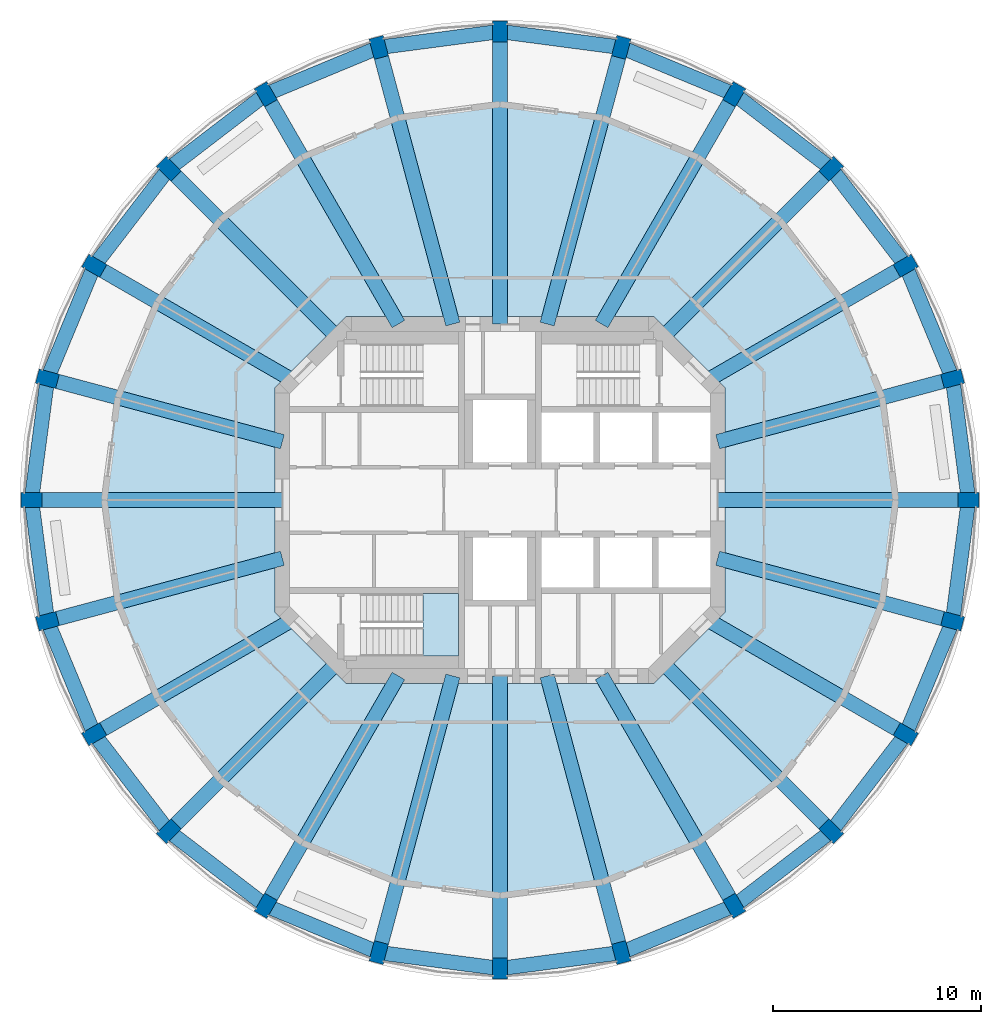
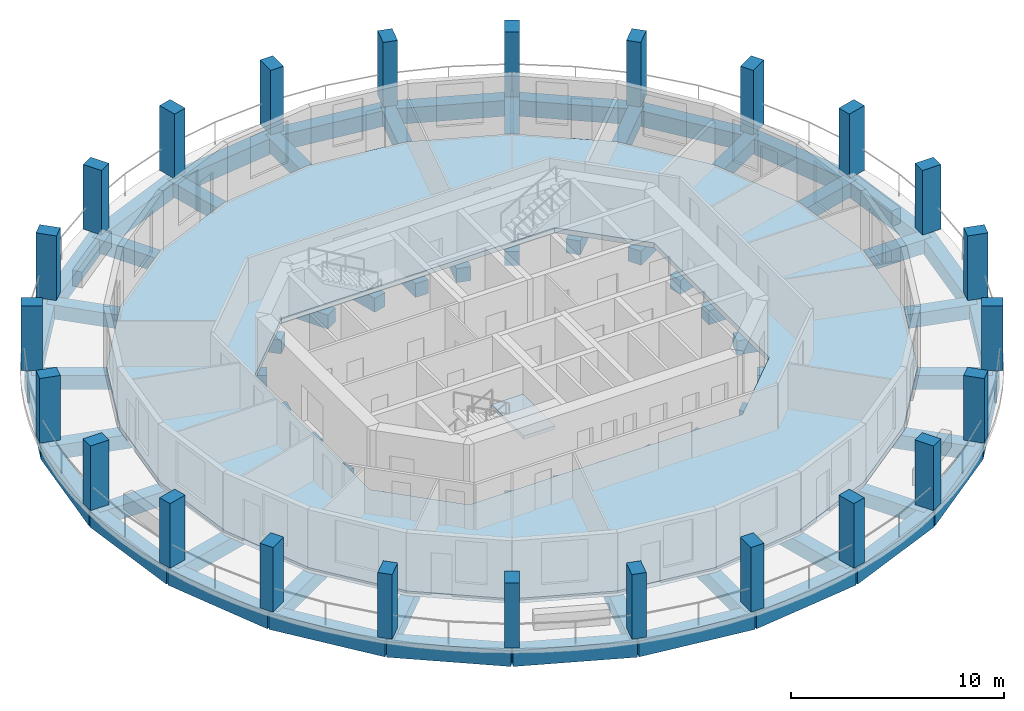
# One storey, part 1 of 9: 48 beams, 24 columns, 2 slabs, 1 element without a shape of its own.
"""IFC4 building model written with IfcOpenShell, lengths in metres."""

from ifc_helpers import new_model, si_unit, direction, frame, origin, origin_2d, place, context, subcontext, project, spatial, polyline, rectangle, outline, extrude, material, layer, layer_set, material_profile, profile_set, type_object, element, aggregate, save


model = new_model("IFC4")

# Units and contexts
model_context = context("Model", 3, precision=1e-05, world=origin(), true_north=direction((0.0, 1.0)))
body_context = subcontext(model_context, "Body", "Model", "MODEL_VIEW")
ifc_project = project(units=[si_unit("LENGTHUNIT", "METRE"), si_unit("AREAUNIT", "SQUARE_METRE"), si_unit("VOLUMEUNIT", "CUBIC_METRE"), si_unit("PLANEANGLEUNIT", "RADIAN"), si_unit("MASSUNIT", "GRAM", prefix="KILO")], contexts=[model_context])

# Site, building, storey
site_placement = place(None, origin())
site = spatial("IfcSite", under=ifc_project, at=site_placement, CompositionType="ELEMENT")
building_placement = place(site_placement, origin())
building = spatial("IfcBuilding", under=site, at=building_placement, Name="Torre Triforio", CompositionType="ELEMENT")
storey_placement = place(building_placement, frame((0.0, 0.0, 169.0)))
storey = spatial("IfcBuildingStorey", under=building, at=storey_placement, Name="L38", CompositionType="ELEMENT", Elevation=169.0)

# Columns
ifc_material_1 = material(Name="Concrete C50", Category="concrete")
ifc_material_profile_1 = material_profile(ifc_material_1, rectangle(XDim=0.699951171875, YDim=1.0, at=origin_2d()), Name="RC 700x1000")
ifc_profile_set_1 = profile_set([ifc_material_profile_1], Name="Concrete C50")
column_type = type_object("IfcColumnType", Name="Pier RC 700x1000 C50", PredefinedType="COLUMN", material=ifc_profile_set_1)
for number, where, z_axis, x_axis, name in (
    (1, (22.5, 0.0, 0.0), (0.0, 0.0, 1.0), (0.0, 1.0, 0.0), "COL.R.L38.00"),
    (2, (21.7333984375, 5.823486328125, 0.0), (0.0, 0.0, 1.0), (-0.258819045103, 0.965925826289, 0.0), "COL.R.L38.01"),
    (3, (19.485595703125, 11.25, 0.0), (0.0, 0.0, 1.0), (-0.5, 0.866025403784, 0.0), "COL.R.L38.02"),
    (4, (15.909912109375, 15.909912109375, 0.0), (0.0, 0.0, 1.0), (-0.707106781187, 0.707106781187, 0.0), "COL.R.L38.03"),
    (5, (11.25, 19.485595703125, 0.0), (0.0, 0.0, 1.0), (-0.866025403784, 0.5, 0.0), "COL.R.L38.04"),
    (6, (5.823486328125, 21.7333984375, 0.0), (0.0, 0.0, 1.0), (-0.965925826289, 0.258819045103, 0.0), "COL.R.L38.05"),
    (7, (0.0, 22.5, 0.0), (0.0, 0.0, 1.0), (-1.0, 0.0, 0.0), "COL.R.L38.06"),
    (8, (-5.823486328125, 21.7333984375, 0.0), (0.0, 0.0, 1.0), (-0.965925826289, -0.258819045103, 0.0), "COL.R.L38.07"),
    (9, (-11.25, 19.485595703125, 0.0), (0.0, 0.0, 1.0), (-0.866025403784, -0.5, 0.0), "COL.R.L38.08"),
    (10, (-15.909912109375, 15.909912109375, 0.0), (0.0, 0.0, 1.0), (-0.707106781187, -0.707106781187, 0.0), "COL.R.L38.09"),
    (11, (-19.485595703125, 11.25, 0.0), (0.0, 0.0, 1.0), (-0.5, -0.866025403784, 0.0), "COL.R.L38.10"),
    (12, (-21.7333984375, 5.823486328125, 0.0), (0.0, 0.0, 1.0), (-0.258819045103, -0.965925826289, 0.0), "COL.R.L38.11"),
    (13, (-22.5, 0.0, 0.0), (0.0, 0.0, 1.0), (0.0, -1.0, 0.0), "COL.R.L38.12"),
    (14, (-21.7333984375, -5.823486328125, 0.0), (0.0, 0.0, 1.0), (0.258819045103, -0.965925826289, 0.0), "COL.R.L38.13"),
    (15, (-19.485595703125, -11.25, 0.0), (0.0, 0.0, 1.0), (0.5, -0.866025403784, 0.0), "COL.R.L38.14"),
    (16, (-15.909912109375, -15.909912109375, 0.0), (0.0, 0.0, 1.0), (0.707106781187, -0.707106781187, 0.0), "COL.R.L38.15"),
    (17, (-11.25, -19.485595703125, 0.0), (0.0, 0.0, 1.0), (0.866025403784, -0.5, 0.0), "COL.R.L38.16"),
    (18, (-5.823486328125, -21.7333984375, 0.0), (0.0, 0.0, 1.0), (0.965925826289, -0.258819045103, 0.0), "COL.R.L38.17"),
    (19, (0.0, -22.5, 0.0), (0.0, 0.0, 1.0), (1.0, 0.0, 0.0), "COL.R.L38.18"),
    (20, (5.823486328125, -21.7333984375, 0.0), (0.0, 0.0, 1.0), (0.965925826289, 0.258819045103, 0.0), "COL.R.L38.19"),
    (21, (11.25, -19.485595703125, 0.0), (0.0, 0.0, 1.0), (0.866025403784, 0.5, 0.0), "COL.R.L38.20"),
    (22, (15.909912109375, -15.909912109375, 0.0), (0.0, 0.0, 1.0), (0.707106781187, 0.707106781187, 0.0), "COL.R.L38.21"),
    (23, (19.485595703125, -11.25, 0.0), (0.0, 0.0, 1.0), (0.5, 0.866025403784, 0.0), "COL.R.L38.22"),
    (24, (21.7333984375, -5.823486328125, 0.0), (0.0, 0.0, 1.0), (0.258819045103, 0.965925826289, 0.0), "COL.R.L38.23"),
):
    element("IfcColumn", number, at=place(storey_placement, frame(where, z_axis=z_axis, x_axis=x_axis)), inside=storey, type_object=column_type, Name=name, PredefinedType="COLUMN", context=body_context, shape_type="SweptSolid", body=[
        extrude(rectangle(XDim=0.699951171875, YDim=1.0, at=origin_2d()), origin(), (0.0, 0.0, 1.0), 3.699951171875),
    ])

# Beams
ifc_material_2 = material(Name="Concrete C40", Category="concrete")
ifc_material_profile_2 = material_profile(ifc_material_2, rectangle(XDim=0.699951171875, YDim=0.800048828125, at=origin_2d()), Name="RC 700x800")
ifc_profile_set_2 = profile_set([ifc_material_profile_2], Name="Concrete C40")
beam_type_1 = type_object("IfcBeamType", Name="Radial beam RC 700x800 C40", PredefinedType="BEAM", material=ifc_profile_set_2)
beam_1_placement = place(storey_placement, frame((10.449951171875, 0.0, -0.679931640625), z_axis=(1.0, 0.0, 0.0), x_axis=(0.0, 1.0, 0.0)))
element("IfcBeam", 25, at=beam_1_placement, inside=storey, type_object=beam_type_1, Name="BM.R.L38.00", PredefinedType="BEAM", context=body_context, shape_type="SweptSolid", body=[
    extrude(rectangle(XDim=0.699951171875, YDim=0.800048828125, at=origin_2d()), origin(), (0.0, 0.0, 1.0), 12.050048828125),
])
beam_2_placement = place(storey_placement, frame((10.449951171875, 2.800048828125, -0.679931640625), z_axis=(0.965924822187, 0.258822792435, 0.0), x_axis=(-0.258822792435, 0.965924822187, 0.0)))
element("IfcBeam", 26, at=beam_2_placement, inside=storey, type_object=beam_type_1, Name="BM.R.L38.01", PredefinedType="BEAM", context=body_context, shape_type="SweptSolid", body=[
    extrude(rectangle(XDim=0.699951171875, YDim=0.800048828125, at=origin_2d()), origin(), (0.0, 0.0, 1.0), 11.681396484375),
])
beam_3_placement = place(storey_placement, frame((9.9501953125, 5.744873046875, -0.679931640625), z_axis=(0.866030871389, 0.499990529712, 0.0), x_axis=(-0.499990529712, 0.866030871389, 0.0)))
element("IfcBeam", 27, at=beam_3_placement, inside=storey, type_object=beam_type_1, Name="BM.R.L38.02", PredefinedType="BEAM", context=body_context, shape_type="SweptSolid", body=[
    extrude(rectangle(XDim=0.699951171875, YDim=0.800048828125, at=origin_2d()), origin(), (0.0, 0.0, 1.0), 11.010498046875),
])
beam_4_placement = place(storey_placement, frame((7.847412109375, 7.847412109375, -0.679931640625), z_axis=(0.707106781187, 0.707106781187, 0.0), x_axis=(-0.707106781187, 0.707106781187, 0.0)))
element("IfcBeam", 28, at=beam_4_placement, inside=storey, type_object=beam_type_1, Name="BM.R.L38.03", PredefinedType="BEAM", context=body_context, shape_type="SweptSolid", body=[
    extrude(rectangle(XDim=0.699951171875, YDim=0.800048828125, at=origin_2d()), origin(), (0.0, 0.0, 1.0), 11.402099609375),
])
beam_5_placement = place(storey_placement, frame((4.878662109375, 8.449951171875, -0.679931640625), z_axis=(0.499994440966, 0.866028613271, 0.0), x_axis=(-0.866028613271, 0.499994440966, 0.0)))
element("IfcBeam", 29, at=beam_5_placement, inside=storey, type_object=beam_type_1, Name="BM.R.L38.04", PredefinedType="BEAM", context=body_context, shape_type="SweptSolid", body=[
    extrude(rectangle(XDim=0.699951171875, YDim=0.800048828125, at=origin_2d()), origin(), (0.0, 0.0, 1.0), 12.742919921875),
])
beam_6_placement = place(storey_placement, frame((2.26416015625, 8.449951171875, -0.679931640625), z_axis=(0.258821569245, 0.965925149944, 0.0), x_axis=(-0.965925149944, 0.258821569245, 0.0)))
element("IfcBeam", 30, at=beam_6_placement, inside=storey, type_object=beam_type_1, Name="BM.R.L38.05", PredefinedType="BEAM", context=body_context, shape_type="SweptSolid", body=[
    extrude(rectangle(XDim=0.699951171875, YDim=0.800048828125, at=origin_2d()), origin(), (0.0, 0.0, 1.0), 13.751953125),
])
beam_7_placement = place(storey_placement, frame((0.0, 8.449951171875, -0.679931640625), z_axis=(0.0, 1.0, 0.0), x_axis=(-1.0, 0.0, 0.0)))
element("IfcBeam", 31, at=beam_7_placement, inside=storey, type_object=beam_type_1, Name="BM.R.L38.06", PredefinedType="BEAM", context=body_context, shape_type="SweptSolid", body=[
    extrude(rectangle(XDim=0.699951171875, YDim=0.800048828125, at=origin_2d()), origin(), (0.0, 0.0, 1.0), 14.050048828125),
])
beam_8_placement = place(storey_placement, frame((-2.26416015625, 8.449951171875, -0.679931640625), z_axis=(-0.258821569245, 0.965925149944, 0.0), x_axis=(-0.965925149944, -0.258821569245, 0.0)))
element("IfcBeam", 32, at=beam_8_placement, inside=storey, type_object=beam_type_1, Name="BM.R.L38.07", PredefinedType="BEAM", context=body_context, shape_type="SweptSolid", body=[
    extrude(rectangle(XDim=0.699951171875, YDim=0.800048828125, at=origin_2d()), origin(), (0.0, 0.0, 1.0), 13.751953125),
])
beam_9_placement = place(storey_placement, frame((-4.878662109375, 8.449951171875, -0.679931640625), z_axis=(-0.499994440966, 0.866028613271, 0.0), x_axis=(-0.866028613271, -0.499994440966, 0.0)))
element("IfcBeam", 33, at=beam_9_placement, inside=storey, type_object=beam_type_1, Name="BM.R.L38.08", PredefinedType="BEAM", context=body_context, shape_type="SweptSolid", body=[
    extrude(rectangle(XDim=0.699951171875, YDim=0.800048828125, at=origin_2d()), origin(), (0.0, 0.0, 1.0), 12.742919921875),
])
beam_10_placement = place(storey_placement, frame((-7.847412109375, 7.847412109375, -0.679931640625), z_axis=(-0.707106781187, 0.707106781187, 0.0), x_axis=(-0.707106781187, -0.707106781187, 0.0)))
element("IfcBeam", 34, at=beam_10_placement, inside=storey, type_object=beam_type_1, Name="BM.R.L38.09", PredefinedType="BEAM", context=body_context, shape_type="SweptSolid", body=[
    extrude(rectangle(XDim=0.699951171875, YDim=0.800048828125, at=origin_2d()), origin(), (0.0, 0.0, 1.0), 11.402099609375),
])
beam_11_placement = place(storey_placement, frame((-9.9501953125, 5.744873046875, -0.679931640625), z_axis=(-0.866030871389, 0.499990529712, 0.0), x_axis=(-0.499990529712, -0.866030871389, 0.0)))
element("IfcBeam", 35, at=beam_11_placement, inside=storey, type_object=beam_type_1, Name="BM.R.L38.10", PredefinedType="BEAM", context=body_context, shape_type="SweptSolid", body=[
    extrude(rectangle(XDim=0.699951171875, YDim=0.800048828125, at=origin_2d()), origin(), (0.0, 0.0, 1.0), 11.010498046875),
])
beam_12_placement = place(storey_placement, frame((-10.449951171875, 2.800048828125, -0.679931640625), z_axis=(-0.965924822187, 0.258822792435, 0.0), x_axis=(-0.258822792435, -0.965924822187, 0.0)))
element("IfcBeam", 36, at=beam_12_placement, inside=storey, type_object=beam_type_1, Name="BM.R.L38.11", PredefinedType="BEAM", context=body_context, shape_type="SweptSolid", body=[
    extrude(rectangle(XDim=0.699951171875, YDim=0.800048828125, at=origin_2d()), origin(), (0.0, 0.0, 1.0), 11.681396484375),
])
beam_13_placement = place(storey_placement, frame((-10.449951171875, 0.0, -0.679931640625), z_axis=(-1.0, 0.0, 0.0), x_axis=(0.0, -1.0, 0.0)))
element("IfcBeam", 37, at=beam_13_placement, inside=storey, type_object=beam_type_1, Name="BM.R.L38.12", PredefinedType="BEAM", context=body_context, shape_type="SweptSolid", body=[
    extrude(rectangle(XDim=0.699951171875, YDim=0.800048828125, at=origin_2d()), origin(), (0.0, 0.0, 1.0), 12.050048828125),
])
beam_14_placement = place(storey_placement, frame((-10.449951171875, -2.800048828125, -0.679931640625), z_axis=(-0.965924822187, -0.258822792435, 0.0), x_axis=(0.258822792435, -0.965924822187, 0.0)))
element("IfcBeam", 38, at=beam_14_placement, inside=storey, type_object=beam_type_1, Name="BM.R.L38.13", PredefinedType="BEAM", context=body_context, shape_type="SweptSolid", body=[
    extrude(rectangle(XDim=0.699951171875, YDim=0.800048828125, at=origin_2d()), origin(), (0.0, 0.0, 1.0), 11.681396484375),
])
beam_15_placement = place(storey_placement, frame((-9.9501953125, -5.744873046875, -0.679931640625), z_axis=(-0.866030871389, -0.499990529712, 0.0), x_axis=(0.499990529712, -0.866030871389, 0.0)))
element("IfcBeam", 39, at=beam_15_placement, inside=storey, type_object=beam_type_1, Name="BM.R.L38.14", PredefinedType="BEAM", context=body_context, shape_type="SweptSolid", body=[
    extrude(rectangle(XDim=0.699951171875, YDim=0.800048828125, at=origin_2d()), origin(), (0.0, 0.0, 1.0), 11.010498046875),
])
beam_16_placement = place(storey_placement, frame((-7.847412109375, -7.847412109375, -0.679931640625), z_axis=(-0.707106781187, -0.707106781187, 0.0), x_axis=(0.707106781187, -0.707106781187, 0.0)))
element("IfcBeam", 40, at=beam_16_placement, inside=storey, type_object=beam_type_1, Name="BM.R.L38.15", PredefinedType="BEAM", context=body_context, shape_type="SweptSolid", body=[
    extrude(rectangle(XDim=0.699951171875, YDim=0.800048828125, at=origin_2d()), origin(), (0.0, 0.0, 1.0), 11.402099609375),
])
beam_17_placement = place(storey_placement, frame((-4.878662109375, -8.449951171875, -0.679931640625), z_axis=(-0.499994440966, -0.866028613271, 0.0), x_axis=(0.866028613271, -0.499994440966, 0.0)))
element("IfcBeam", 41, at=beam_17_placement, inside=storey, type_object=beam_type_1, Name="BM.R.L38.16", PredefinedType="BEAM", context=body_context, shape_type="SweptSolid", body=[
    extrude(rectangle(XDim=0.699951171875, YDim=0.800048828125, at=origin_2d()), origin(), (0.0, 0.0, 1.0), 12.742919921875),
])
beam_18_placement = place(storey_placement, frame((-2.26416015625, -8.449951171875, -0.679931640625), z_axis=(-0.258821569245, -0.965925149944, 0.0), x_axis=(0.965925149944, -0.258821569245, 0.0)))
element("IfcBeam", 42, at=beam_18_placement, inside=storey, type_object=beam_type_1, Name="BM.R.L38.17", PredefinedType="BEAM", context=body_context, shape_type="SweptSolid", body=[
    extrude(rectangle(XDim=0.699951171875, YDim=0.800048828125, at=origin_2d()), origin(), (0.0, 0.0, 1.0), 13.751953125),
])
beam_19_placement = place(storey_placement, frame((0.0, -8.449951171875, -0.679931640625), z_axis=(0.0, -1.0, 0.0), x_axis=(1.0, 0.0, 0.0)))
element("IfcBeam", 43, at=beam_19_placement, inside=storey, type_object=beam_type_1, Name="BM.R.L38.18", PredefinedType="BEAM", context=body_context, shape_type="SweptSolid", body=[
    extrude(rectangle(XDim=0.699951171875, YDim=0.800048828125, at=origin_2d()), origin(), (0.0, 0.0, 1.0), 14.050048828125),
])
beam_20_placement = place(storey_placement, frame((2.26416015625, -8.449951171875, -0.679931640625), z_axis=(0.258821569245, -0.965925149944, 0.0), x_axis=(0.965925149944, 0.258821569245, 0.0)))
element("IfcBeam", 44, at=beam_20_placement, inside=storey, type_object=beam_type_1, Name="BM.R.L38.19", PredefinedType="BEAM", context=body_context, shape_type="SweptSolid", body=[
    extrude(rectangle(XDim=0.699951171875, YDim=0.800048828125, at=origin_2d()), origin(), (0.0, 0.0, 1.0), 13.751953125),
])
beam_21_placement = place(storey_placement, frame((4.878662109375, -8.449951171875, -0.679931640625), z_axis=(0.499994440966, -0.866028613271, 0.0), x_axis=(0.866028613271, 0.499994440966, 0.0)))
element("IfcBeam", 45, at=beam_21_placement, inside=storey, type_object=beam_type_1, Name="BM.R.L38.20", PredefinedType="BEAM", context=body_context, shape_type="SweptSolid", body=[
    extrude(rectangle(XDim=0.699951171875, YDim=0.800048828125, at=origin_2d()), origin(), (0.0, 0.0, 1.0), 12.742919921875),
])
beam_22_placement = place(storey_placement, frame((7.847412109375, -7.847412109375, -0.679931640625), z_axis=(0.707106781187, -0.707106781187, 0.0), x_axis=(0.707106781187, 0.707106781187, 0.0)))
element("IfcBeam", 46, at=beam_22_placement, inside=storey, type_object=beam_type_1, Name="BM.R.L38.21", PredefinedType="BEAM", context=body_context, shape_type="SweptSolid", body=[
    extrude(rectangle(XDim=0.699951171875, YDim=0.800048828125, at=origin_2d()), origin(), (0.0, 0.0, 1.0), 11.402099609375),
])
beam_23_placement = place(storey_placement, frame((9.9501953125, -5.744873046875, -0.679931640625), z_axis=(0.866030871389, -0.499990529712, 0.0), x_axis=(0.499990529712, 0.866030871389, 0.0)))
element("IfcBeam", 47, at=beam_23_placement, inside=storey, type_object=beam_type_1, Name="BM.R.L38.22", PredefinedType="BEAM", context=body_context, shape_type="SweptSolid", body=[
    extrude(rectangle(XDim=0.699951171875, YDim=0.800048828125, at=origin_2d()), origin(), (0.0, 0.0, 1.0), 11.010498046875),
])
beam_24_placement = place(storey_placement, frame((10.449951171875, -2.800048828125, -0.679931640625), z_axis=(0.965924822187, -0.258822792435, 0.0), x_axis=(0.258822792435, 0.965924822187, 0.0)))
element("IfcBeam", 48, at=beam_24_placement, inside=storey, type_object=beam_type_1, Name="BM.R.L38.23", PredefinedType="BEAM", context=body_context, shape_type="SweptSolid", body=[
    extrude(rectangle(XDim=0.699951171875, YDim=0.800048828125, at=origin_2d()), origin(), (0.0, 0.0, 1.0), 11.681396484375),
])
ifc_material_profile_3 = material_profile(ifc_material_2, rectangle(XDim=0.699951171875, YDim=0.89990234375, at=origin_2d()), Name="RC 700x900")
ifc_profile_set_3 = profile_set([ifc_material_profile_3], Name="Concrete C40")
beam_type_2 = type_object("IfcBeamType", Name="Spandrel beam RC 700x900 C40", PredefinedType="SPANDREL", material=ifc_profile_set_3)
beam_25_placement = place(storey_placement, frame((22.5, 0.0, -0.72998046875), z_axis=(-0.13051364818, 0.991446512747, 0.0), x_axis=(-0.991446512747, -0.13051364818, 0.0)))
element("IfcBeam", 49, at=beam_25_placement, inside=storey, type_object=beam_type_2, Name="BM.S.L38.00", PredefinedType="SPANDREL", context=body_context, shape_type="SweptSolid", body=[
    extrude(rectangle(XDim=0.699951171875, YDim=0.89990234375, at=origin_2d()), origin(), (0.0, 0.0, 1.0), 5.873779296875),
])
beam_26_placement = place(storey_placement, frame((21.7333984375, 5.823486328125, -0.72998046875), z_axis=(-0.382693194178, 0.923875488976, 0.0), x_axis=(-0.923875488976, -0.382693194178, 0.0)))
element("IfcBeam", 50, at=beam_26_placement, inside=storey, type_object=beam_type_2, Name="BM.S.L38.01", PredefinedType="SPANDREL", context=body_context, shape_type="SweptSolid", body=[
    extrude(rectangle(XDim=0.699951171875, YDim=0.89990234375, at=origin_2d()), origin(), (0.0, 0.0, 1.0), 5.87353515625),
])
for number, where, z_axis, x_axis, name in (
    (51, (19.485595703125, 11.25, -0.72998046875), (-0.608762208108, 0.793352742466, 0.0), (-0.793352742466, -0.608762208108, 0.0), "BM.S.L38.02"),
    (52, (15.909912109375, 15.909912109375, -0.72998046875), (-0.793352742466, 0.608762208108, 0.0), (-0.608762208108, -0.793352742466, 0.0), "BM.S.L38.03"),
):
    element("IfcBeam", number, at=place(storey_placement, frame(where, z_axis=z_axis, x_axis=x_axis)), inside=storey, type_object=beam_type_2, Name=name, PredefinedType="SPANDREL", context=body_context, shape_type="SweptSolid", body=[
        extrude(rectangle(XDim=0.699951171875, YDim=0.89990234375, at=origin_2d()), origin(), (0.0, 0.0, 1.0), 5.873779296875),
    ])
beam_27_placement = place(storey_placement, frame((11.25, 19.485595703125, -0.72998046875), z_axis=(-0.923875488976, 0.382693194178, 0.0), x_axis=(-0.382693194178, -0.923875488976, 0.0)))
element("IfcBeam", 53, at=beam_27_placement, inside=storey, type_object=beam_type_2, Name="BM.S.L38.04", PredefinedType="SPANDREL", context=body_context, shape_type="SweptSolid", body=[
    extrude(rectangle(XDim=0.699951171875, YDim=0.89990234375, at=origin_2d()), origin(), (0.0, 0.0, 1.0), 5.87353515625),
])
for number, where, z_axis, x_axis, name in (
    (54, (5.823486328125, 21.7333984375, -0.72998046875), (-0.991446512747, 0.13051364818, 0.0), (-0.13051364818, -0.991446512747, 0.0), "BM.S.L38.05"),
    (55, (0.0, 22.5, -0.72998046875), (-0.991446512747, -0.13051364818, 0.0), (0.13051364818, -0.991446512747, 0.0), "BM.S.L38.06"),
):
    element("IfcBeam", number, at=place(storey_placement, frame(where, z_axis=z_axis, x_axis=x_axis)), inside=storey, type_object=beam_type_2, Name=name, PredefinedType="SPANDREL", context=body_context, shape_type="SweptSolid", body=[
        extrude(rectangle(XDim=0.699951171875, YDim=0.89990234375, at=origin_2d()), origin(), (0.0, 0.0, 1.0), 5.873779296875),
    ])
beam_28_placement = place(storey_placement, frame((-5.823486328125, 21.7333984375, -0.72998046875), z_axis=(-0.923875488976, -0.382693194178, 0.0), x_axis=(0.382693194178, -0.923875488976, 0.0)))
element("IfcBeam", 56, at=beam_28_placement, inside=storey, type_object=beam_type_2, Name="BM.S.L38.07", PredefinedType="SPANDREL", context=body_context, shape_type="SweptSolid", body=[
    extrude(rectangle(XDim=0.699951171875, YDim=0.89990234375, at=origin_2d()), origin(), (0.0, 0.0, 1.0), 5.87353515625),
])
for number, where, z_axis, x_axis, name in (
    (57, (-11.25, 19.485595703125, -0.72998046875), (-0.793352742466, -0.608762208108, 0.0), (0.608762208108, -0.793352742466, 0.0), "BM.S.L38.08"),
    (58, (-15.909912109375, 15.909912109375, -0.72998046875), (-0.608762208108, -0.793352742466, 0.0), (0.793352742466, -0.608762208108, 0.0), "BM.S.L38.09"),
):
    element("IfcBeam", number, at=place(storey_placement, frame(where, z_axis=z_axis, x_axis=x_axis)), inside=storey, type_object=beam_type_2, Name=name, PredefinedType="SPANDREL", context=body_context, shape_type="SweptSolid", body=[
        extrude(rectangle(XDim=0.699951171875, YDim=0.89990234375, at=origin_2d()), origin(), (0.0, 0.0, 1.0), 5.873779296875),
    ])
beam_29_placement = place(storey_placement, frame((-19.485595703125, 11.25, -0.72998046875), z_axis=(-0.382693194178, -0.923875488976, 0.0), x_axis=(0.923875488976, -0.382693194178, 0.0)))
element("IfcBeam", 59, at=beam_29_placement, inside=storey, type_object=beam_type_2, Name="BM.S.L38.10", PredefinedType="SPANDREL", context=body_context, shape_type="SweptSolid", body=[
    extrude(rectangle(XDim=0.699951171875, YDim=0.89990234375, at=origin_2d()), origin(), (0.0, 0.0, 1.0), 5.87353515625),
])
for number, where, z_axis, x_axis, name in (
    (60, (-21.7333984375, 5.823486328125, -0.72998046875), (-0.13051364818, -0.991446512747, 0.0), (0.991446512747, -0.13051364818, 0.0), "BM.S.L38.11"),
    (61, (-22.5, 0.0, -0.72998046875), (0.13051364818, -0.991446512747, 0.0), (0.991446512747, 0.13051364818, 0.0), "BM.S.L38.12"),
):
    element("IfcBeam", number, at=place(storey_placement, frame(where, z_axis=z_axis, x_axis=x_axis)), inside=storey, type_object=beam_type_2, Name=name, PredefinedType="SPANDREL", context=body_context, shape_type="SweptSolid", body=[
        extrude(rectangle(XDim=0.699951171875, YDim=0.89990234375, at=origin_2d()), origin(), (0.0, 0.0, 1.0), 5.873779296875),
    ])
beam_30_placement = place(storey_placement, frame((-21.7333984375, -5.823486328125, -0.72998046875), z_axis=(0.382693194178, -0.923875488976, 0.0), x_axis=(0.923875488976, 0.382693194178, 0.0)))
element("IfcBeam", 62, at=beam_30_placement, inside=storey, type_object=beam_type_2, Name="BM.S.L38.13", PredefinedType="SPANDREL", context=body_context, shape_type="SweptSolid", body=[
    extrude(rectangle(XDim=0.699951171875, YDim=0.89990234375, at=origin_2d()), origin(), (0.0, 0.0, 1.0), 5.87353515625),
])
for number, where, z_axis, x_axis, name in (
    (63, (-19.485595703125, -11.25, -0.72998046875), (0.608762208108, -0.793352742466, 0.0), (0.793352742466, 0.608762208108, 0.0), "BM.S.L38.14"),
    (64, (-15.909912109375, -15.909912109375, -0.72998046875), (0.793352742466, -0.608762208108, 0.0), (0.608762208108, 0.793352742466, 0.0), "BM.S.L38.15"),
):
    element("IfcBeam", number, at=place(storey_placement, frame(where, z_axis=z_axis, x_axis=x_axis)), inside=storey, type_object=beam_type_2, Name=name, PredefinedType="SPANDREL", context=body_context, shape_type="SweptSolid", body=[
        extrude(rectangle(XDim=0.699951171875, YDim=0.89990234375, at=origin_2d()), origin(), (0.0, 0.0, 1.0), 5.873779296875),
    ])
beam_31_placement = place(storey_placement, frame((-11.25, -19.485595703125, -0.72998046875), z_axis=(0.923875488976, -0.382693194178, 0.0), x_axis=(0.382693194178, 0.923875488976, 0.0)))
element("IfcBeam", 65, at=beam_31_placement, inside=storey, type_object=beam_type_2, Name="BM.S.L38.16", PredefinedType="SPANDREL", context=body_context, shape_type="SweptSolid", body=[
    extrude(rectangle(XDim=0.699951171875, YDim=0.89990234375, at=origin_2d()), origin(), (0.0, 0.0, 1.0), 5.87353515625),
])
for number, where, z_axis, x_axis, name in (
    (66, (-5.823486328125, -21.7333984375, -0.72998046875), (0.991446512747, -0.13051364818, 0.0), (0.13051364818, 0.991446512747, 0.0), "BM.S.L38.17"),
    (67, (0.0, -22.5, -0.72998046875), (0.991446512747, 0.13051364818, 0.0), (-0.13051364818, 0.991446512747, 0.0), "BM.S.L38.18"),
):
    element("IfcBeam", number, at=place(storey_placement, frame(where, z_axis=z_axis, x_axis=x_axis)), inside=storey, type_object=beam_type_2, Name=name, PredefinedType="SPANDREL", context=body_context, shape_type="SweptSolid", body=[
        extrude(rectangle(XDim=0.699951171875, YDim=0.89990234375, at=origin_2d()), origin(), (0.0, 0.0, 1.0), 5.873779296875),
    ])
beam_32_placement = place(storey_placement, frame((5.823486328125, -21.7333984375, -0.72998046875), z_axis=(0.923875488976, 0.382693194178, 0.0), x_axis=(-0.382693194178, 0.923875488976, 0.0)))
element("IfcBeam", 68, at=beam_32_placement, inside=storey, type_object=beam_type_2, Name="BM.S.L38.19", PredefinedType="SPANDREL", context=body_context, shape_type="SweptSolid", body=[
    extrude(rectangle(XDim=0.699951171875, YDim=0.89990234375, at=origin_2d()), origin(), (0.0, 0.0, 1.0), 5.87353515625),
])
for number, where, z_axis, x_axis, name in (
    (69, (11.25, -19.485595703125, -0.72998046875), (0.793352742466, 0.608762208108, 0.0), (-0.608762208108, 0.793352742466, 0.0), "BM.S.L38.20"),
    (70, (15.909912109375, -15.909912109375, -0.72998046875), (0.608762208108, 0.793352742466, 0.0), (-0.793352742466, 0.608762208108, 0.0), "BM.S.L38.21"),
):
    element("IfcBeam", number, at=place(storey_placement, frame(where, z_axis=z_axis, x_axis=x_axis)), inside=storey, type_object=beam_type_2, Name=name, PredefinedType="SPANDREL", context=body_context, shape_type="SweptSolid", body=[
        extrude(rectangle(XDim=0.699951171875, YDim=0.89990234375, at=origin_2d()), origin(), (0.0, 0.0, 1.0), 5.873779296875),
    ])
beam_33_placement = place(storey_placement, frame((19.485595703125, -11.25, -0.72998046875), z_axis=(0.382693194178, 0.923875488976, 0.0), x_axis=(-0.923875488976, 0.382693194178, 0.0)))
element("IfcBeam", 71, at=beam_33_placement, inside=storey, type_object=beam_type_2, Name="BM.S.L38.22", PredefinedType="SPANDREL", context=body_context, shape_type="SweptSolid", body=[
    extrude(rectangle(XDim=0.699951171875, YDim=0.89990234375, at=origin_2d()), origin(), (0.0, 0.0, 1.0), 5.87353515625),
])
beam_34_placement = place(storey_placement, frame((21.7333984375, -5.823486328125, -0.72998046875), z_axis=(0.13051364818, 0.991446512747, 0.0), x_axis=(-0.991446512747, 0.13051364818, 0.0)))
element("IfcBeam", 72, at=beam_34_placement, inside=storey, type_object=beam_type_2, Name="BM.S.L38.23", PredefinedType="SPANDREL", context=body_context, shape_type="SweptSolid", body=[
    extrude(rectangle(XDim=0.699951171875, YDim=0.89990234375, at=origin_2d()), origin(), (0.0, 0.0, 1.0), 5.873779296875),
])

# Slab
ifc_layer_1 = layer(ifc_material_2, 0.280029296875)
ifc_layer_set_1 = layer_set([ifc_layer_1], Name="Concrete C40")
slab_type_1 = type_object("IfcSlabType", Name="Floor slab 280 C40", PredefinedType="FLOOR", material=ifc_layer_set_1)
slab_1_placement = place(storey_placement, frame((0.0, 0.0, -0.280029296875)))
element("IfcSlab", 73, at=slab_1_placement, inside=storey, type_object=slab_type_1, Name="SL.L38", PredefinedType="FLOOR", context=body_context, shape_type="SweptSolid", body=[
    extrude(outline(polyline([(16.45458984375, -9.5), (18.3525390625, -4.91748046875), (19.0, 0.0), (18.3525390625, 4.91748046875), (16.45458984375, 9.5), (13.43505859375, 13.43505859375), (9.5, 16.45458984375), (4.91748046875, 18.3525390625), (0.0, 19.0), (-4.91748046875, 18.3525390625), (-9.5, 16.45458984375), (-13.43505859375, 13.43505859375), (-16.45458984375, 9.5), (-18.3525390625, 4.91748046875), (-19.0, 0.0), (-18.3525390625, -4.91748046875), (-16.45458984375, -9.5), (-13.43505859375, -13.43505859375), (-9.5, -16.45458984375), (-4.91748046875, -18.3525390625), (0.0, -19.0), (4.91748046875, -18.3525390625), (9.5, -16.45458984375), (13.43505859375, -13.43505859375), (16.45458984375, -9.5)]), holes=[polyline([(10.800048828125, 5.389892578125), (10.800048828125, -5.389892578125), (7.389892578125, -8.800048828125), (-7.389892578125, -8.800048828125), (-10.800048828125, -5.389892578125), (-10.800048828125, 5.389892578125), (-7.389892578125, 8.800048828125), (7.389892578125, 8.800048828125), (10.800048828125, 5.389892578125)])]), origin(), (0.0, 0.0, 1.0), 0.280029296875),
])

# Stair, slab
stair_type = type_object("IfcStairType", Name="STAIR HALF-TURN", PredefinedType="HALF_TURN_STAIR", material=ifc_material_2)
stair_placement = place(storey_placement, origin())
stair = element("IfcStair", 74, at=stair_placement, inside=storey, type_object=stair_type, Name="Exit stair 3", PredefinedType="HALF_TURN_STAIR")
ifc_layer_2 = layer(ifc_material_2, 0.199951171875)
ifc_layer_set_2 = layer_set([ifc_layer_2], Name="Concrete C40")
slab_type_2 = type_object("IfcSlabType", Name="STAIR LANDING 200", PredefinedType="LANDING", material=ifc_layer_set_2)
slab_2_placement = place(storey_placement, frame((0.0, 0.0, 1.64990234375)))
slab_2 = element("IfcSlab", 75, at=slab_2_placement, type_object=slab_type_2, Name="ST3 landing 1", PredefinedType="LANDING", context=body_context, shape_type="SweptSolid", body=[
    extrude(outline(polyline([(-2.0, -7.5), (-2.0, -4.5), (-3.699951171875, -4.5), (-3.699951171875, -7.5), (-2.0, -7.5)])), origin(), (0.0, 0.0, 1.0), 0.2001953125),
])
aggregate(stair, [slab_2])

save(model, "model.ifc")
